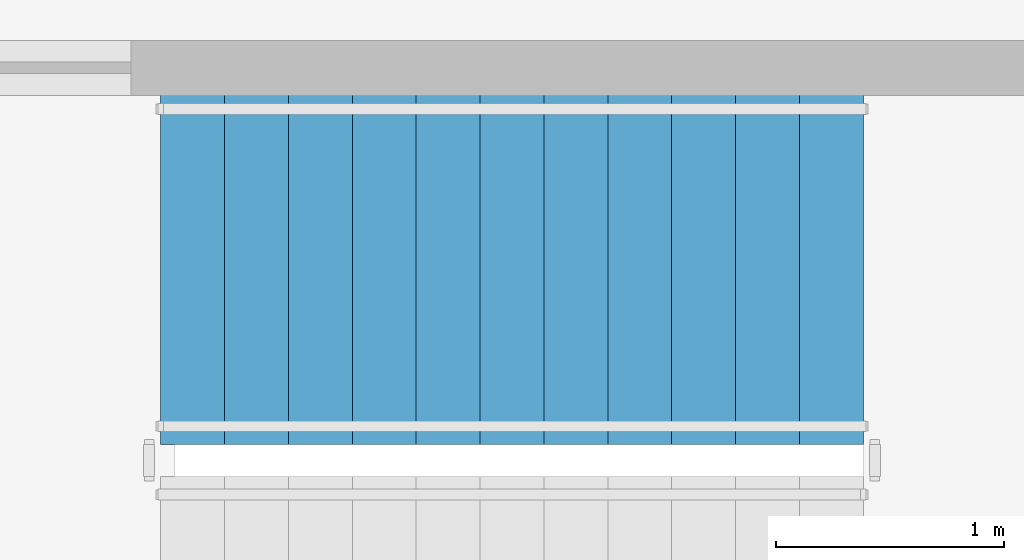
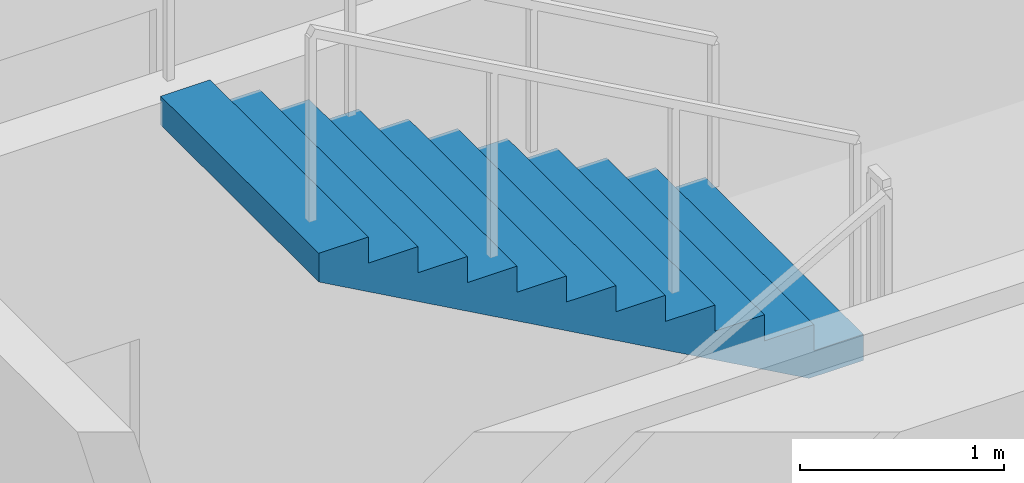
# One storey, part 8 of 9: 1 stair flight, 1 element without a shape of its own.
"""IFC4 building model written with IfcOpenShell, lengths in metres."""

import ifcopenshell
import ifcopenshell.guid

model = None  # the IFC model being written
_history = None  # IfcOwnerHistory: only IFC2X3 demands one
_inside = {}  # id of a spatial element -> (the spatial element, [elements in it])
_under = {}  # id of a project, library or spatial element -> (it, [spatial elements below it])
_declared = {}  # id of a project -> (the project, [libraries it declares])
_typed = {}  # id of a type object -> (the type object, [elements of that type])
_made_of = {}  # id of a material, layer set ... -> (it, [elements and type objects made of it])


def new_model(schema):
    """Start an empty IFC model of exactly this schema.

    Asked for "IFC4X3", IfcOpenShell would pick the latest addendum, in which some entities
    have other attributes; the version numbers below select the first issue.
    IFC2X3 requires an IfcOwnerHistory on every rooted entity: one is made here for all.
    """
    global model, _history
    if schema == "IFC4X3":
        model = ifcopenshell.file(schema_version=(4, 3, 0, 0))
    else:
        model = ifcopenshell.file(schema=schema)
    _inside.clear()
    _under.clear()
    _declared.clear()
    _typed.clear()
    _made_of.clear()
    _history = None
    if model.schema == "IFC2X3":
        org = make("IfcOrganization", Name="unknown")
        user = make(
            "IfcPersonAndOrganization",
            ThePerson=make("IfcPerson", FamilyName="unknown"),
            TheOrganization=org,
        )
        app = make(
            "IfcApplication",
            ApplicationDeveloper=org,
            Version="unknown",
            ApplicationFullName="unknown",
            ApplicationIdentifier="unknown",
        )
        _history = make(
            "IfcOwnerHistory",
            OwningUser=user,
            OwningApplication=app,
            ChangeAction="ADDED",
            CreationDate=0,
        )
    return model


def make(cls, **values):
    """One entity of the class cls with the attributes given. An attribute that is None is left unset."""
    return model.create_entity(
        cls, **{name: value for name, value in values.items() if value is not None}
    )


def rooted(cls, **values):
    """An entity with a GlobalId (a new one), such as an element, a storey or a relation."""
    return make(cls, GlobalId=ifcopenshell.guid.new(), OwnerHistory=_history, **values)


def si_unit(unit_type, name, prefix=None):
    """IfcSIUnit, for example si_unit("LENGTHUNIT", "METRE", prefix="MILLI")."""
    return make("IfcSIUnit", UnitType=unit_type, Prefix=prefix, Name=name)


def assignment(units):
    """IfcUnitAssignment: the units of a project."""
    return None if units is None else make("IfcUnitAssignment", Units=units)


def point(xyz):
    """IfcCartesianPoint."""
    return None if xyz is None else make("IfcCartesianPoint", Coordinates=xyz)


def direction(xyz):
    """IfcDirection."""
    return None if xyz is None else make("IfcDirection", DirectionRatios=xyz)


def frame(location, z_axis=None, x_axis=None):
    """IfcAxis2Placement3D, a coordinate frame: its origin and axes. An axis left out is left unset."""
    return make(
        "IfcAxis2Placement3D",
        Location=point(location),
        Axis=direction(z_axis),
        RefDirection=direction(x_axis),
    )


def origin():
    """The frame at (0, 0, 0) with its axes left unset."""
    return frame((0.0, 0.0, 0.0))


def place(relative_to, where):
    """IfcLocalPlacement: puts the frame where relative to a parent placement (None: the world)."""
    return make(
        "IfcLocalPlacement", PlacementRelTo=relative_to, RelativePlacement=where
    )


def context(
    kind, dimensions, precision=None, world=None, true_north=None, identifier=None
):
    """IfcGeometricRepresentationContext, for example the 3D "Model" context."""
    return make(
        "IfcGeometricRepresentationContext",
        ContextIdentifier=identifier,
        ContextType=kind,
        CoordinateSpaceDimension=dimensions,
        Precision=precision,
        WorldCoordinateSystem=world,
        TrueNorth=true_north,
    )


def subcontext(parent, identifier, kind, view, scale=None):
    """IfcGeometricRepresentationSubContext, for example "Body" below "Model"."""
    return make(
        "IfcGeometricRepresentationSubContext",
        ContextIdentifier=identifier,
        ContextType=kind,
        ParentContext=parent,
        TargetScale=scale,
        TargetView=view,
    )


def project(units=None, contexts=None):
    """IfcProject with its units and contexts."""
    return rooted(
        "IfcProject",
        Name="project",
        RepresentationContexts=contexts,
        UnitsInContext=assignment(units),
    )


def spatial(cls, under=None, at=None, **own):
    """A site, building, storey or space (cls), placed at a placement, below another one or the project."""
    s = rooted(cls, ObjectPlacement=at, **own)
    if under is not None:
        _under.setdefault(under.id(), (under, []))[1].append(s)
    return s


def polyline(points):
    """IfcPolyline through the points."""
    return make("IfcPolyline", Points=[point(p) for p in points])


def outline(outer, holes=None, kind="AREA"):
    """IfcArbitraryClosedProfileDef: a profile drawn as a closed curve; with holes, ...WithVoids."""
    if holes is None:
        return make("IfcArbitraryClosedProfileDef", ProfileType=kind, OuterCurve=outer)
    return make(
        "IfcArbitraryProfileDefWithVoids",
        ProfileType=kind,
        OuterCurve=outer,
        InnerCurves=holes,
    )


def extrude(swept, where, along, depth):
    """IfcExtrudedAreaSolid: the profile swept, set in the frame where, extruded along a direction by depth."""
    return make(
        "IfcExtrudedAreaSolid",
        SweptArea=swept,
        Position=where,
        ExtrudedDirection=direction(along),
        Depth=depth,
    )


def shape(context_of_items, identifier, shape_type, items):
    """IfcShapeRepresentation: the items that make up one representation, for example the "Body"."""
    return make(
        "IfcShapeRepresentation",
        ContextOfItems=context_of_items,
        RepresentationIdentifier=identifier,
        RepresentationType=shape_type,
        Items=items,
    )


def material(Name=None, Category=None):
    """IfcMaterial."""
    return make("IfcMaterial", Name=Name, Category=Category)


def made_of(thing, what):
    """Note that an element or type object is made of a material, layer set ...; save() writes the relation."""
    if what is not None:
        _made_of.setdefault(what.id(), (what, []))[1].append(thing)
    return thing


def type_object(cls, material=None, **own):
    """A type object (cls), such as IfcWallType, which elements share."""
    return made_of(rooted(cls, **own), material)


def element(
    cls,
    number,
    at=None,
    inside=None,
    cuts=None,
    type_object=None,
    material=None,
    context=None,
    identifier="Body",
    shape_type=None,
    held_by="IfcProductDefinitionShape",
    body=None,
    shapes=None,
    **own,
):
    """One element of the class cls, such as IfcWall. Its Tag is "e" and its number.

    at: its placement. inside: the storey or other place that contains it. cuts: it is an
    opening in that element (IfcRelVoidsElement). A single representation is given by context,
    identifier, shape_type and body (its items); several are given by shapes. held_by: the class
    of the entity that holds the representations. save() writes the other relations.
    """
    e = rooted(cls, Tag="e%d" % number, ObjectPlacement=at, **own)
    if body is not None:
        shapes = [shape(context, identifier, shape_type, body)]
    if shapes is not None:
        e.Representation = make(held_by, Representations=shapes)
    if inside is not None:
        _inside.setdefault(inside.id(), (inside, []))[1].append(e)
    if cuts is not None:
        rooted(
            "IfcRelVoidsElement", RelatingBuildingElement=cuts, RelatedOpeningElement=e
        )
    if type_object is not None:
        _typed.setdefault(type_object.id(), (type_object, []))[1].append(e)
    return made_of(e, material)


def aggregate(whole, parts):
    """IfcRelAggregates: a whole, such as a stair, and the parts it consists of."""
    return rooted("IfcRelAggregates", RelatingObject=whole, RelatedObjects=parts)


def save(model, path):
    """Write the relations noted so far, then the file.

    IfcRelAggregates (storeys below a building ...), IfcRelContainedInSpatialStructure (elements
    in a storey), IfcRelDefinesByType, IfcRelAssociatesMaterial and IfcRelDeclares: one each for
    every whole, place, type object, material and project.
    """
    for whole, parts in _under.values():
        aggregate(whole, parts)
    for where, things in _inside.values():
        rooted(
            "IfcRelContainedInSpatialStructure",
            RelatedElements=things,
            RelatingStructure=where,
        )
    for kind, things in _typed.values():
        rooted("IfcRelDefinesByType", RelatedObjects=things, RelatingType=kind)
    for what, things in _made_of.values():
        rooted("IfcRelAssociatesMaterial", RelatedObjects=things, RelatingMaterial=what)
    for by, libraries in _declared.values():
        rooted("IfcRelDeclares", RelatingContext=by, RelatedDefinitions=libraries)
    model.write(path)


model = new_model("IFC4")

# Units and contexts
model_context = context("Model", 3, precision=1e-05, world=origin(), true_north=direction((0.0, 1.0)))
body_context = subcontext(model_context, "Body", "Model", "MODEL_VIEW")
ifc_project = project(units=[si_unit("LENGTHUNIT", "METRE"), si_unit("AREAUNIT", "SQUARE_METRE"), si_unit("VOLUMEUNIT", "CUBIC_METRE"), si_unit("PLANEANGLEUNIT", "RADIAN"), si_unit("MASSUNIT", "GRAM", prefix="KILO")], contexts=[model_context])

# Site, building, storey
site_placement = place(None, origin())
site = spatial("IfcSite", under=ifc_project, at=site_placement, CompositionType="ELEMENT")
building_placement = place(site_placement, origin())
building = spatial("IfcBuilding", under=site, at=building_placement, Name="Liaohun Quay Tower", CompositionType="ELEMENT")
storey_placement = place(building_placement, frame((0.0, 0.0, 224.25)))
storey = spatial("IfcBuildingStorey", under=building, at=storey_placement, Name="L58", CompositionType="ELEMENT", Elevation=224.25)

# Stair, stair flight
ifc_material = material(Name="Concrete C45", Category="concrete")
stair_type = type_object("IfcStairType", Name="STR-CORE-OFF", PredefinedType="HALF_TURN_STAIR", material=ifc_material)
stair_placement = place(storey_placement, origin())
stair = element("IfcStair", 1, at=stair_placement, inside=storey, type_object=stair_type, Name="L58 Smokeproof Core Exit Stair ST-3", PredefinedType="HALF_TURN_STAIR")
stair_flight_type = type_object("IfcStairFlightType", Name="FLT-CORE-155", PredefinedType="STRAIGHT", material=ifc_material)
stair_flight_placement = place(storey_placement, frame((59.22998046875, 64.6650390625, 1.875), z_axis=(0.0, 0.0, 1.0), x_axis=(-1.0, 0.0, 0.0)))
stair_flight = element("IfcStairFlight", 2, at=stair_flight_placement, type_object=stair_flight_type, Name="ST-3 flight 2", NumberOfRisers=12, NumberOfTreads=11, PredefinedType="STRAIGHT", RiserHeight=0.15625, TreadLength=0.28, context=body_context, shape_type="SweptSolid", body=[
    extrude(outline(polyline([(0.0, 0.0), (0.0, 0.15625), (0.280029296875, 0.15625), (0.280029296875, 0.3125), (0.56005859375, 0.3125), (0.56005859375, 0.46875), (0.840087890625, 0.46875), (0.840087890625, 0.625), (1.1201171875, 0.625), (1.1201171875, 0.78125), (1.39990234375, 0.78125), (1.39990234375, 0.9375), (1.679931640625, 0.9375), (1.679931640625, 1.09375), (1.9599609375, 1.09375), (1.9599609375, 1.25), (2.239990234375, 1.25), (2.239990234375, 1.40625), (2.52001953125, 1.40625), (2.52001953125, 1.5625), (2.800048828125, 1.5625), (2.800048828125, 1.71875), (3.080078125, 1.71875), (3.080078125, 1.875), (3.080078125, 1.547119140625), (0.3076171875, 0.0), (0.0, 0.0)])), frame((0.0, 0.77490234375, 0.0), z_axis=(0.0, -1.0, 0.0), x_axis=(1.0, 0.0, 0.0)), (0.0, 0.0, 1.0), 1.550048828125),
])
aggregate(stair, [stair_flight])

save(model, "model.ifc")
